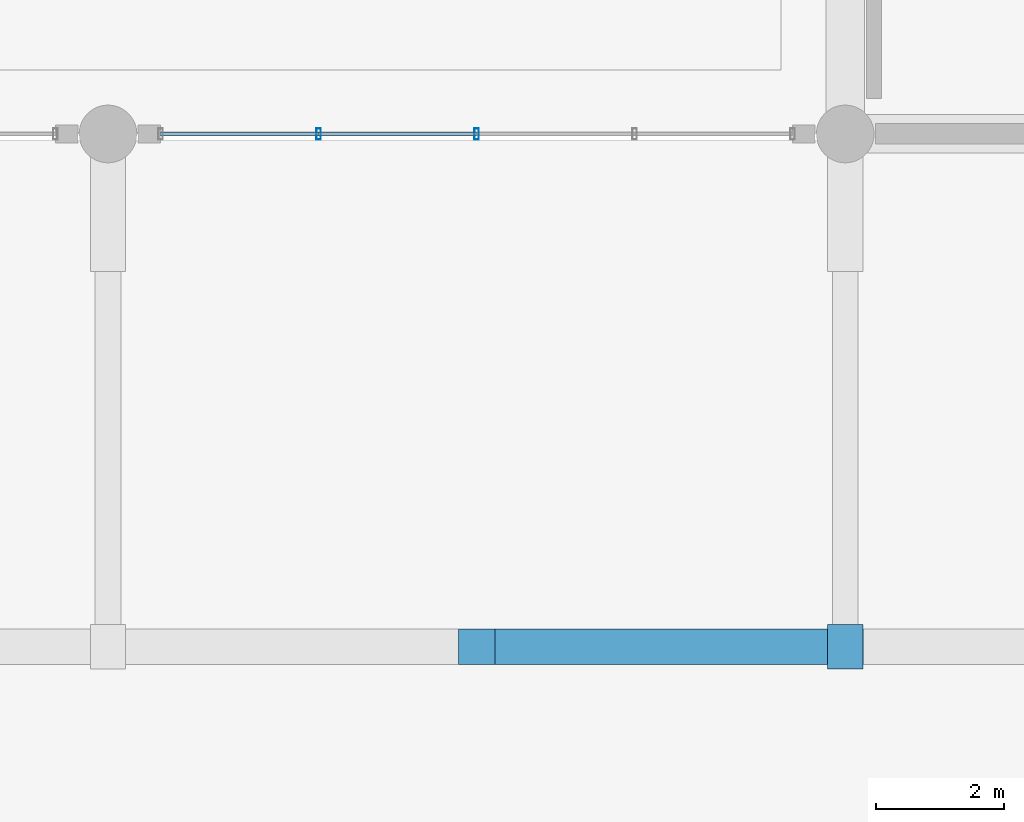
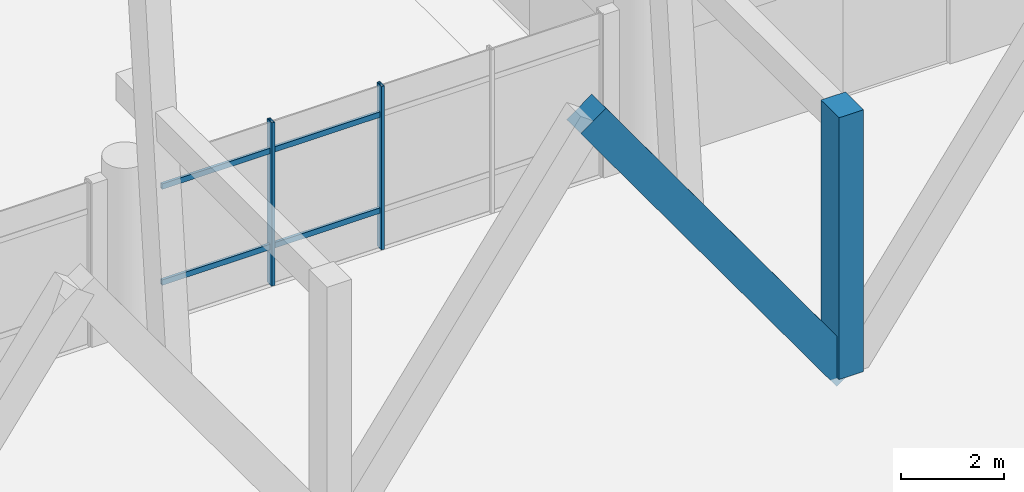
# One storey, part 22 of 109: 8 members, 1 element without a shape of its own.
"""IFC4 building model written with IfcOpenShell, lengths in metres."""

from ifc_helpers import new_model, si_unit, direction, frame, origin, origin_2d, place, context, subcontext, project, spatial, rectangle, hollow_rectangle, extrude, material, material_profile, profile_set, type_object, element, aggregate, save


model = new_model("IFC4")

# Units and contexts
model_context = context("Model", 3, precision=1e-05, world=origin(), true_north=direction((0.0, 1.0)))
body_context = subcontext(model_context, "Body", "Model", "MODEL_VIEW")
ifc_project = project(units=[si_unit("LENGTHUNIT", "METRE"), si_unit("AREAUNIT", "SQUARE_METRE"), si_unit("VOLUMEUNIT", "CUBIC_METRE"), si_unit("PLANEANGLEUNIT", "RADIAN"), si_unit("MASSUNIT", "GRAM", prefix="KILO")], contexts=[model_context])

# Site, building, storey
site_placement = place(None, origin())
site = spatial("IfcSite", under=ifc_project, at=site_placement, CompositionType="ELEMENT")
building_placement = place(site_placement, origin())
building = spatial("IfcBuilding", under=site, at=building_placement, Name="Ologun Quay Terminus", CompositionType="ELEMENT")
storey_placement = place(building_placement, origin())
storey = spatial("IfcBuildingStorey", under=building, at=storey_placement, Name="L00", CompositionType="ELEMENT", Elevation=0.0)

# Curtain wall, members
ifc_material_1 = material(Name="Aluminium 6063-T6", Category="aluminium")
curtain_wall_type = type_object("IfcCurtainWallType", Name="Forecourt Arcade Curtain Wall 10700x3750", PredefinedType="USERDEFINED", material=ifc_material_1)
curtain_wall_placement = place(storey_placement, origin())
curtain_wall = element("IfcCurtainWall", 1, at=curtain_wall_placement, inside=storey, type_object=curtain_wall_type, Name="CW-03 Curtain Wall CW-L00-006", ObjectType="UNITISED CURTAIN WALL", PredefinedType="USERDEFINED")
ifc_material_2 = material(Name="Aluminium 6063-T6", Category="aluminium")
ifc_material_profile_1 = material_profile(ifc_material_2, hollow_rectangle(XDim=0.070068359375, YDim=0.179931640625, WallThickness=0.0048828125, at=origin_2d()), Name="ALU 180x70x5")
ifc_profile_set_1 = profile_set([ifc_material_profile_1], Name="Aluminium 6063-T6")
member_type_1 = type_object("IfcMemberType", Name="Curtain Wall Heavy Mullion 180x70", PredefinedType="MULLION", material=ifc_profile_set_1)
member_1_placement = place(storey_placement, frame((106.784912109375, 8.0, 0.0), z_axis=(0.0, 0.0, 1.0), x_axis=(1.0, 0.0, 0.0)))
member_1 = element("IfcMember", 2, at=member_1_placement, type_object=member_type_1, Name="CW-L00-006 Mullion 2", PredefinedType="MULLION", context=body_context, shape_type="SweptSolid", body=[
    extrude(hollow_rectangle(XDim=0.070068359375, YDim=0.179931640625, WallThickness=0.0048828125, at=origin_2d()), origin(), (0.0, 0.0, 1.0), 3.8798828125),
])
member_2_placement = place(storey_placement, frame((109.25, 8.0, 0.0), z_axis=(0.0, 0.0, 1.0), x_axis=(1.0, 0.0, 0.0)))
member_2 = element("IfcMember", 3, at=member_2_placement, type_object=member_type_1, Name="CW-L00-006 Mullion 3", PredefinedType="MULLION", context=body_context, shape_type="SweptSolid", body=[
    extrude(hollow_rectangle(XDim=0.070068359375, YDim=0.179931640625, WallThickness=0.0048828125, at=origin_2d()), origin(), (0.0, 0.0, 1.0), 3.8798828125),
])
ifc_material_3 = material(Name="Aluminium 6063-T6", Category="aluminium")
ifc_material_profile_2 = material_profile(ifc_material_3, hollow_rectangle(XDim=0.06005859375, YDim=0.1298828125, WallThickness=0.00390625, at=origin_2d()), Name="ALU 130x60x4")
ifc_profile_set_2 = profile_set([ifc_material_profile_2], Name="Aluminium 6063-T6")
member_type_2 = type_object("IfcMemberType", Name="Curtain Wall Heavy Transom 130x60", PredefinedType="USERDEFINED", material=ifc_profile_set_2)
member_3_placement = place(storey_placement, frame((104.320068359375, 8.0, 0.89990234375), z_axis=(1.0, 0.0, 0.0), x_axis=(0.0, 1.0, 0.0)))
member_3 = element("IfcMember", 4, at=member_3_placement, type_object=member_type_2, Name="CW-L00-006 Transom B1-1", ObjectType="TRANSOM", PredefinedType="USERDEFINED", context=body_context, shape_type="SweptSolid", body=[
    extrude(hollow_rectangle(XDim=0.06005859375, YDim=0.1298828125, WallThickness=0.00390625, at=origin_2d()), origin(), (0.0, 0.0, 1.0), 2.46484375),
])
member_4_placement = place(storey_placement, frame((104.320068359375, 8.0, 3.179931640625), z_axis=(1.0, 0.0, 0.0), x_axis=(0.0, 1.0, 0.0)))
member_4 = element("IfcMember", 5, at=member_4_placement, type_object=member_type_2, Name="CW-L00-006 Transom B1-2", ObjectType="TRANSOM", PredefinedType="USERDEFINED", context=body_context, shape_type="SweptSolid", body=[
    extrude(hollow_rectangle(XDim=0.06005859375, YDim=0.1298828125, WallThickness=0.00390625, at=origin_2d()), origin(), (0.0, 0.0, 1.0), 2.46484375),
])
member_5_placement = place(storey_placement, frame((106.784912109375, 8.0, 0.89990234375), z_axis=(1.0, 0.0, 0.0), x_axis=(0.0, 1.0, 0.0)))
member_5 = element("IfcMember", 6, at=member_5_placement, type_object=member_type_2, Name="CW-L00-006 Transom B2-1", ObjectType="TRANSOM", PredefinedType="USERDEFINED", context=body_context, shape_type="SweptSolid", body=[
    extrude(hollow_rectangle(XDim=0.06005859375, YDim=0.1298828125, WallThickness=0.00390625, at=origin_2d()), origin(), (0.0, 0.0, 1.0), 2.465087890625),
])
member_6_placement = place(storey_placement, frame((106.784912109375, 8.0, 3.179931640625), z_axis=(1.0, 0.0, 0.0), x_axis=(0.0, 1.0, 0.0)))
member_6 = element("IfcMember", 7, at=member_6_placement, type_object=member_type_2, Name="CW-L00-006 Transom B2-2", ObjectType="TRANSOM", PredefinedType="USERDEFINED", context=body_context, shape_type="SweptSolid", body=[
    extrude(hollow_rectangle(XDim=0.06005859375, YDim=0.1298828125, WallThickness=0.00390625, at=origin_2d()), origin(), (0.0, 0.0, 1.0), 2.465087890625),
])
aggregate(curtain_wall, [member_1, member_2, member_3, member_4, member_5, member_6])

# Members
ifc_material_4 = material(Name="Concrete C45/55", Category="concrete")
ifc_material_profile_3 = material_profile(ifc_material_4, rectangle(XDim=0.550048828125, YDim=0.699951171875, at=origin_2d()), Name="RC 550x700")
ifc_profile_set_3 = profile_set([ifc_material_profile_3], Name="Concrete C45/55")
member_type_3 = type_object("IfcMemberType", Name="Folded Canopy Concrete V-Strut 550x700", PredefinedType="STRUT", material=ifc_profile_set_3)
member_7_placement = place(storey_placement, frame((115.0, 0.0, 0.0), z_axis=(0.0, 0.0, 1.0), x_axis=(1.0, 0.0, 0.0)))
element("IfcMember", 8, at=member_7_placement, inside=storey, type_object=member_type_3, Name="VS2 Canopy Pier 11/A", PredefinedType="STRUT", context=body_context, shape_type="SweptSolid", body=[
    extrude(rectangle(XDim=0.550048828125, YDim=0.699951171875, at=origin_2d()), origin(), (0.0, 0.0, 1.0), 6.219970703125),
])
member_8_placement = place(storey_placement, frame((115.0, 0.0, 0.0), z_axis=(-0.582674207859, 0.0, 0.812705830849), x_axis=(0.0, -1.0, 0.0)))
element("IfcMember", 9, at=member_8_placement, inside=storey, type_object=member_type_3, Name="VS2 Canopy Strut 11/A-W", PredefinedType="STRUT", context=body_context, shape_type="SweptSolid", body=[
    extrude(rectangle(XDim=0.550048828125, YDim=0.699951171875, at=origin_2d()), origin(), (0.0, 0.0, 1.0), 9.868408203125),
])

save(model, "model.ifc")
